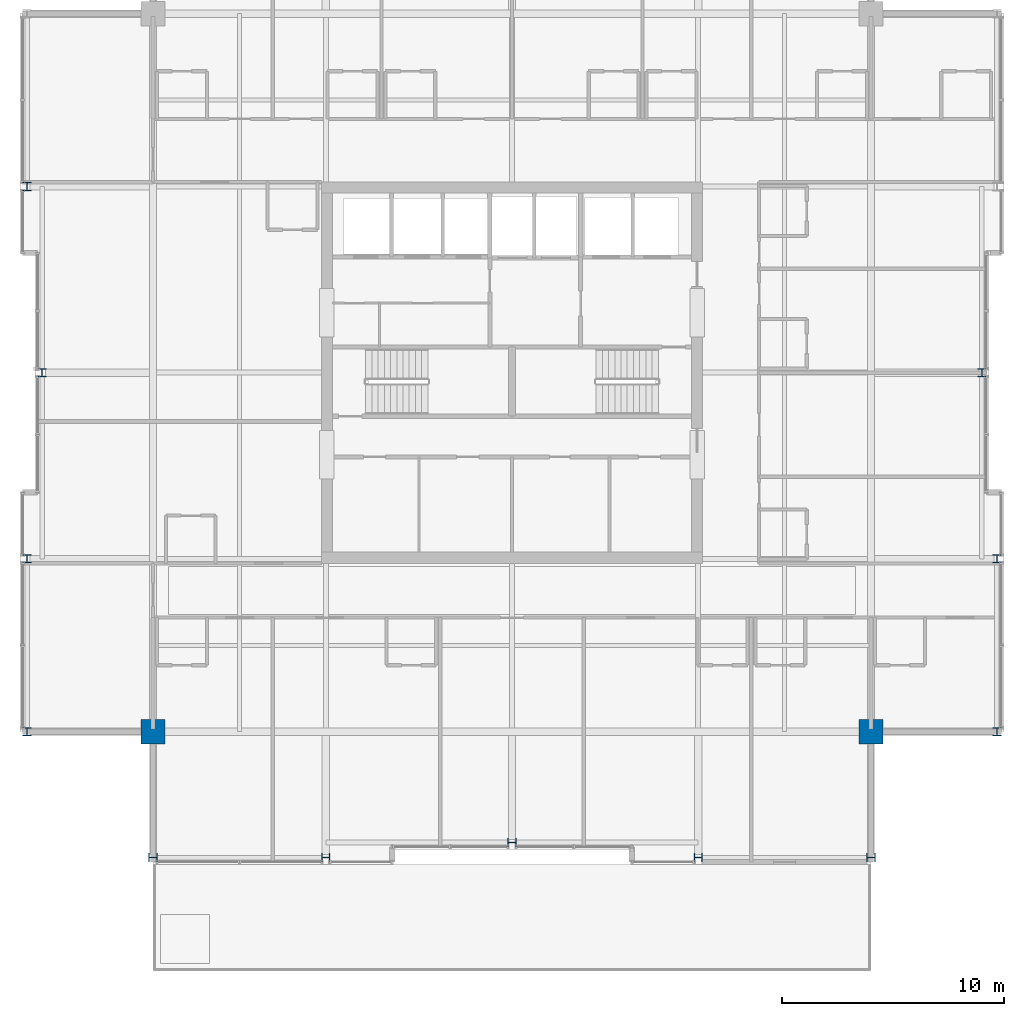
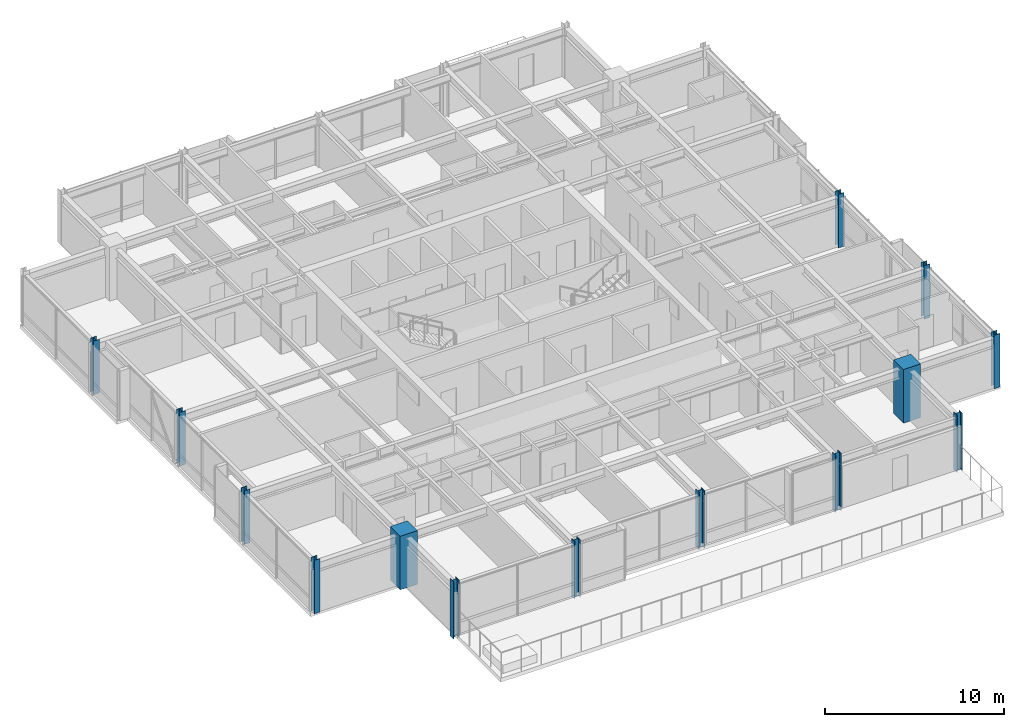
# One storey, part 1 of 32: 14 columns.
"""IFC4 building model written with IfcOpenShell, lengths in metres."""

from ifc_helpers import new_model, si_unit, direction, frame, origin, origin_2d, place, context, subcontext, project, spatial, rectangle, i_section, extrude, material, material_profile, profile_set, type_object, element, save


model = new_model("IFC4")

# Units and contexts
model_context = context("Model", 3, precision=1e-05, world=origin(), true_north=direction((0.0, 1.0)))
body_context = subcontext(model_context, "Body", "Model", "MODEL_VIEW")
ifc_project = project(units=[si_unit("LENGTHUNIT", "METRE"), si_unit("AREAUNIT", "SQUARE_METRE"), si_unit("VOLUMEUNIT", "CUBIC_METRE"), si_unit("PLANEANGLEUNIT", "RADIAN"), si_unit("MASSUNIT", "GRAM", prefix="KILO")], contexts=[model_context])

# Site, building, storey
site_placement = place(None, origin())
site = spatial("IfcSite", under=ifc_project, at=site_placement, CompositionType="ELEMENT")
building_placement = place(site_placement, origin())
building = spatial("IfcBuilding", under=site, at=building_placement, Name="Drelvath Grand Hotel", CompositionType="ELEMENT")
storey_placement = place(building_placement, frame((0.0, 0.0, 265.0)))
storey = spatial("IfcBuildingStorey", under=building, at=storey_placement, Name="L69", CompositionType="ELEMENT", Elevation=265.0)

# Columns
ifc_material_1 = material(Name="Concrete f'c 55 MPa", Category="concrete")
ifc_material_profile_1 = material_profile(ifc_material_1, rectangle(XDim=1.10009765625, YDim=1.10009765625, at=origin_2d()), Name="MC1100X1100")
ifc_profile_set_1 = profile_set([ifc_material_profile_1], Name="Concrete f'c 55 MPa")
column_type_1 = type_object("IfcColumnType", Name="Composite Mega Column MC1100X1100", PredefinedType="COLUMN", material=ifc_profile_set_1)
for number, where, z_axis, x_axis, name in (
    (1, (-16.199951171875, 10.800048828125, 0.0), (0.0, 0.0, 1.0), (1.0, 0.0, 0.0), "L69 Composite Mega Column MC-SW"),
    (2, (16.199951171875, 10.800048828125, 0.0), (0.0, 0.0, 1.0), (1.0, 0.0, 0.0), "L69 Composite Mega Column MC-SE"),
):
    element("IfcColumn", number, at=place(storey_placement, frame(where, z_axis=z_axis, x_axis=x_axis)), inside=storey, type_object=column_type_1, Name=name, PredefinedType="COLUMN", context=body_context, shape_type="SweptSolid", body=[
        extrude(rectangle(XDim=1.10009765625, YDim=1.10009765625, at=origin_2d()), origin(), (0.0, 0.0, 1.0), 3.64990234375),
    ])
ifc_material_2 = material(Name="Steel ASTM A913 Gr 65", Category="steel")
ifc_material_profile_2 = material_profile(ifc_material_2, i_section(OverallWidth=0.3740234375, OverallDepth=0.372314453125, WebThickness=0.016357421875, FlangeThickness=0.026123046875, FilletRadius=0.02490234375, at=origin_2d()), Name="W14X132")
ifc_profile_set_2 = profile_set([ifc_material_profile_2], Name="Steel ASTM A913 Gr 65")
column_type_2 = type_object("IfcColumnType", Name="Perimeter Steel Column W14X132", PredefinedType="COLUMN", material=ifc_profile_set_2)
for number, where, z_axis, x_axis, name in (
    (3, (-21.8798828125, 10.800048828125, 0.0), (0.0, 0.0, 1.0), (1.0, 0.0, 0.0), "L69 Structural Column TCW-C"),
    (4, (21.8798828125, 10.800048828125, 0.0), (0.0, 0.0, 1.0), (1.0, 0.0, 0.0), "L69 Structural Column TCE-C"),
    (5, (-21.8798828125, 18.60009765625, 0.0), (0.0, 0.0, 1.0), (1.0, 0.0, 0.0), "L69 Structural Column TCW-D"),
    (6, (21.8798828125, 18.60009765625, 0.0), (0.0, 0.0, 1.0), (1.0, 0.0, 0.0), "L69 Structural Column TCE-D"),
    (7, (-21.199951171875, 27.0, 0.0), (0.0, 0.0, 1.0), (1.0, 0.0, 0.0), "L69 Structural Column TCW-E"),
    (8, (21.199951171875, 27.0, 0.0), (0.0, 0.0, 1.0), (1.0, 0.0, 0.0), "L69 Structural Column TCE-E"),
    (9, (-21.8798828125, 35.39990234375, 0.0), (0.0, 0.0, 1.0), (1.0, 0.0, 0.0), "L69 Structural Column TCW-F"),
):
    element("IfcColumn", number, at=place(storey_placement, frame(where, z_axis=z_axis, x_axis=x_axis)), inside=storey, type_object=column_type_2, Name=name, PredefinedType="COLUMN", context=body_context, shape_type="SweptSolid", body=[
        extrude(i_section(OverallWidth=0.3740234375, OverallDepth=0.372314453125, WebThickness=0.016357421875, FlangeThickness=0.026123046875, FilletRadius=0.02490234375, at=origin_2d()), origin(), (0.0, 0.0, 1.0), 3.64697265625),
    ])
for number, where, z_axis, x_axis, name in (
    (10, (-16.199951171875, 5.1201171875, -0.260009765625), (0.0, 0.0, 1.0), (0.0, 1.0, 0.0), "L69 Structural Column TCS-3"),
    (11, (-8.39990234375, 5.1201171875, -0.260009765625), (0.0, 0.0, 1.0), (0.0, 1.0, 0.0), "L69 Structural Column TCS-4"),
    (12, (0.0, 5.800048828125, -0.260009765625), (0.0, 0.0, 1.0), (0.0, 1.0, 0.0), "L69 Structural Column TCS-5"),
    (13, (8.39990234375, 5.1201171875, -0.260009765625), (0.0, 0.0, 1.0), (0.0, 1.0, 0.0), "L69 Structural Column TCS-6"),
    (14, (16.199951171875, 5.1201171875, -0.260009765625), (0.0, 0.0, 1.0), (0.0, 1.0, 0.0), "L69 Structural Column TCS-7"),
):
    element("IfcColumn", number, at=place(storey_placement, frame(where, z_axis=z_axis, x_axis=x_axis)), inside=storey, type_object=column_type_2, Name=name, PredefinedType="COLUMN", context=body_context, shape_type="SweptSolid", body=[
        extrude(i_section(OverallWidth=0.3740234375, OverallDepth=0.372314453125, WebThickness=0.016357421875, FlangeThickness=0.026123046875, FilletRadius=0.02490234375, at=origin_2d()), origin(), (0.0, 0.0, 1.0), 3.906982421875),
    ])

save(model, "model.ifc")
